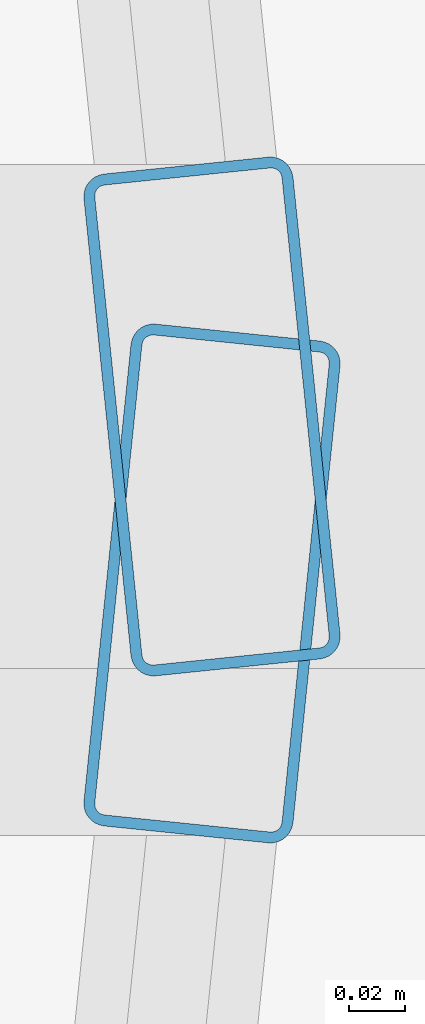
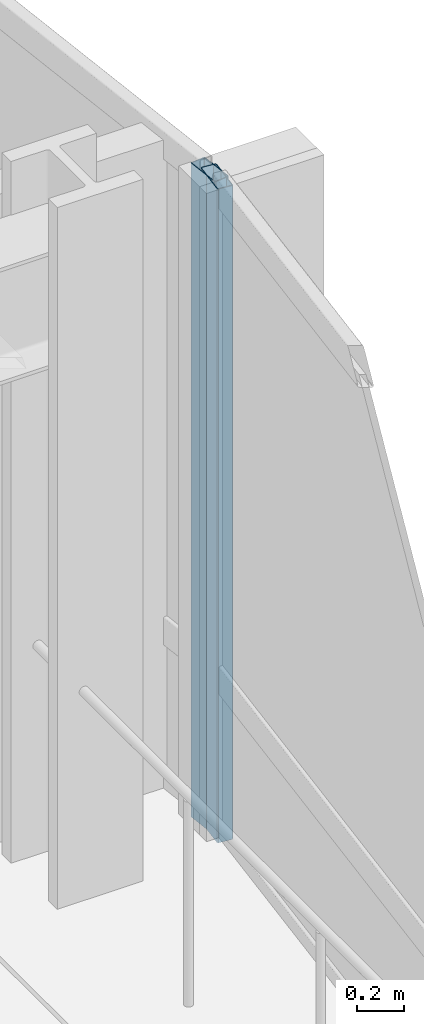
# One storey, part 25 of 34: 2 members, 2 elements without a shape of their own.
"""IFC4 building model written with IfcOpenShell, lengths in metres."""

import ifcopenshell
import ifcopenshell.guid

model = None  # the IFC model being written
_history = None  # IfcOwnerHistory: only IFC2X3 demands one
_inside = {}  # id of a spatial element -> (the spatial element, [elements in it])
_under = {}  # id of a project, library or spatial element -> (it, [spatial elements below it])
_declared = {}  # id of a project -> (the project, [libraries it declares])
_typed = {}  # id of a type object -> (the type object, [elements of that type])
_made_of = {}  # id of a material, layer set ... -> (it, [elements and type objects made of it])


def new_model(schema):
    """Start an empty IFC model of exactly this schema.

    Asked for "IFC4X3", IfcOpenShell would pick the latest addendum, in which some entities
    have other attributes; the version numbers below select the first issue.
    IFC2X3 requires an IfcOwnerHistory on every rooted entity: one is made here for all.
    """
    global model, _history
    if schema == "IFC4X3":
        model = ifcopenshell.file(schema_version=(4, 3, 0, 0))
    else:
        model = ifcopenshell.file(schema=schema)
    _inside.clear()
    _under.clear()
    _declared.clear()
    _typed.clear()
    _made_of.clear()
    _history = None
    if model.schema == "IFC2X3":
        org = make("IfcOrganization", Name="unknown")
        user = make(
            "IfcPersonAndOrganization",
            ThePerson=make("IfcPerson", FamilyName="unknown"),
            TheOrganization=org,
        )
        app = make(
            "IfcApplication",
            ApplicationDeveloper=org,
            Version="unknown",
            ApplicationFullName="unknown",
            ApplicationIdentifier="unknown",
        )
        _history = make(
            "IfcOwnerHistory",
            OwningUser=user,
            OwningApplication=app,
            ChangeAction="ADDED",
            CreationDate=0,
        )
    return model


def make(cls, **values):
    """One entity of the class cls with the attributes given. An attribute that is None is left unset."""
    return model.create_entity(
        cls, **{name: value for name, value in values.items() if value is not None}
    )


def rooted(cls, **values):
    """An entity with a GlobalId (a new one), such as an element, a storey or a relation."""
    return make(cls, GlobalId=ifcopenshell.guid.new(), OwnerHistory=_history, **values)


def si_unit(unit_type, name, prefix=None):
    """IfcSIUnit, for example si_unit("LENGTHUNIT", "METRE", prefix="MILLI")."""
    return make("IfcSIUnit", UnitType=unit_type, Prefix=prefix, Name=name)


def assignment(units):
    """IfcUnitAssignment: the units of a project."""
    return None if units is None else make("IfcUnitAssignment", Units=units)


def point(xyz):
    """IfcCartesianPoint."""
    return None if xyz is None else make("IfcCartesianPoint", Coordinates=xyz)


def direction(xyz):
    """IfcDirection."""
    return None if xyz is None else make("IfcDirection", DirectionRatios=xyz)


def frame(location, z_axis=None, x_axis=None):
    """IfcAxis2Placement3D, a coordinate frame: its origin and axes. An axis left out is left unset."""
    return make(
        "IfcAxis2Placement3D",
        Location=point(location),
        Axis=direction(z_axis),
        RefDirection=direction(x_axis),
    )


def frame_2d(location, x_axis=None):
    """IfcAxis2Placement2D, a coordinate frame in the plane: its origin and x axis."""
    return make(
        "IfcAxis2Placement2D", Location=point(location), RefDirection=direction(x_axis)
    )


def origin():
    """The frame at (0, 0, 0) with its axes left unset."""
    return frame((0.0, 0.0, 0.0))


def origin_2d():
    """The frame at (0, 0) in the plane with its x axis left unset."""
    return frame_2d((0.0, 0.0))


def place(relative_to, where):
    """IfcLocalPlacement: puts the frame where relative to a parent placement (None: the world)."""
    return make(
        "IfcLocalPlacement", PlacementRelTo=relative_to, RelativePlacement=where
    )


def context(
    kind, dimensions, precision=None, world=None, true_north=None, identifier=None
):
    """IfcGeometricRepresentationContext, for example the 3D "Model" context."""
    return make(
        "IfcGeometricRepresentationContext",
        ContextIdentifier=identifier,
        ContextType=kind,
        CoordinateSpaceDimension=dimensions,
        Precision=precision,
        WorldCoordinateSystem=world,
        TrueNorth=true_north,
    )


def subcontext(parent, identifier, kind, view, scale=None):
    """IfcGeometricRepresentationSubContext, for example "Body" below "Model"."""
    return make(
        "IfcGeometricRepresentationSubContext",
        ContextIdentifier=identifier,
        ContextType=kind,
        ParentContext=parent,
        TargetScale=scale,
        TargetView=view,
    )


def project(units=None, contexts=None):
    """IfcProject with its units and contexts."""
    return rooted(
        "IfcProject",
        Name="project",
        RepresentationContexts=contexts,
        UnitsInContext=assignment(units),
    )


def spatial(cls, under=None, at=None, **own):
    """A site, building, storey or space (cls), placed at a placement, below another one or the project."""
    s = rooted(cls, ObjectPlacement=at, **own)
    if under is not None:
        _under.setdefault(under.id(), (under, []))[1].append(s)
    return s


def profile(cls, at=None, kind="AREA", **sizes):
    """A parametric profile (cls). Its sizes go by their IFC names, for example OverallWidth=200.0."""
    return make(cls, ProfileType=kind, Position=at, **sizes)


def hollow_rectangle(**sizes):
    """IfcRectangleHollowProfileDef."""
    return profile("IfcRectangleHollowProfileDef", **sizes)


def extrude(swept, where, along, depth):
    """IfcExtrudedAreaSolid: the profile swept, set in the frame where, extruded along a direction by depth."""
    return make(
        "IfcExtrudedAreaSolid",
        SweptArea=swept,
        Position=where,
        ExtrudedDirection=direction(along),
        Depth=depth,
    )


def shape(context_of_items, identifier, shape_type, items):
    """IfcShapeRepresentation: the items that make up one representation, for example the "Body"."""
    return make(
        "IfcShapeRepresentation",
        ContextOfItems=context_of_items,
        RepresentationIdentifier=identifier,
        RepresentationType=shape_type,
        Items=items,
    )


def material(Name=None, Category=None):
    """IfcMaterial."""
    return make("IfcMaterial", Name=Name, Category=Category)


def layer(
    of_material, thickness, ventilated=None, Name=None, Category=None, Priority=None
):
    """IfcMaterialLayer: one layer of a wall or slab, of a material (None: an air gap)."""
    return make(
        "IfcMaterialLayer",
        Material=of_material,
        LayerThickness=thickness,
        IsVentilated=ventilated,
        Name=Name,
        Category=Category,
        Priority=Priority,
    )


def layer_set(layers, Name=None):
    """IfcMaterialLayerSet."""
    return make("IfcMaterialLayerSet", MaterialLayers=layers, LayerSetName=Name)


def material_profile(
    of_material, cross_section, Name=None, Category=None, Priority=None
):
    """IfcMaterialProfile: a cross section and its material."""
    return make(
        "IfcMaterialProfile",
        Name=Name,
        Material=of_material,
        Profile=cross_section,
        Priority=Priority,
        Category=Category,
    )


def profile_set(profiles, Name=None, composite=None):
    """IfcMaterialProfileSet."""
    return make(
        "IfcMaterialProfileSet",
        Name=Name,
        MaterialProfiles=profiles,
        CompositeProfile=composite,
    )


def made_of(thing, what):
    """Note that an element or type object is made of a material, layer set ...; save() writes the relation."""
    if what is not None:
        _made_of.setdefault(what.id(), (what, []))[1].append(thing)
    return thing


def type_object(cls, material=None, **own):
    """A type object (cls), such as IfcWallType, which elements share."""
    return made_of(rooted(cls, **own), material)


def element(
    cls,
    number,
    at=None,
    inside=None,
    cuts=None,
    type_object=None,
    material=None,
    context=None,
    identifier="Body",
    shape_type=None,
    held_by="IfcProductDefinitionShape",
    body=None,
    shapes=None,
    **own,
):
    """One element of the class cls, such as IfcWall. Its Tag is "e" and its number.

    at: its placement. inside: the storey or other place that contains it. cuts: it is an
    opening in that element (IfcRelVoidsElement). A single representation is given by context,
    identifier, shape_type and body (its items); several are given by shapes. held_by: the class
    of the entity that holds the representations. save() writes the other relations.
    """
    e = rooted(cls, Tag="e%d" % number, ObjectPlacement=at, **own)
    if body is not None:
        shapes = [shape(context, identifier, shape_type, body)]
    if shapes is not None:
        e.Representation = make(held_by, Representations=shapes)
    if inside is not None:
        _inside.setdefault(inside.id(), (inside, []))[1].append(e)
    if cuts is not None:
        rooted(
            "IfcRelVoidsElement", RelatingBuildingElement=cuts, RelatedOpeningElement=e
        )
    if type_object is not None:
        _typed.setdefault(type_object.id(), (type_object, []))[1].append(e)
    return made_of(e, material)


def aggregate(whole, parts):
    """IfcRelAggregates: a whole, such as a stair, and the parts it consists of."""
    return rooted("IfcRelAggregates", RelatingObject=whole, RelatedObjects=parts)


def save(model, path):
    """Write the relations noted so far, then the file.

    IfcRelAggregates (storeys below a building ...), IfcRelContainedInSpatialStructure (elements
    in a storey), IfcRelDefinesByType, IfcRelAssociatesMaterial and IfcRelDeclares: one each for
    every whole, place, type object, material and project.
    """
    for whole, parts in _under.values():
        aggregate(whole, parts)
    for where, things in _inside.values():
        rooted(
            "IfcRelContainedInSpatialStructure",
            RelatedElements=things,
            RelatingStructure=where,
        )
    for kind, things in _typed.values():
        rooted("IfcRelDefinesByType", RelatedObjects=things, RelatingType=kind)
    for what, things in _made_of.values():
        rooted("IfcRelAssociatesMaterial", RelatedObjects=things, RelatingMaterial=what)
    for by, libraries in _declared.values():
        rooted("IfcRelDeclares", RelatingContext=by, RelatedDefinitions=libraries)
    model.write(path)


model = new_model("IFC4")

# Units and contexts
model_context = context("Model", 3, precision=1e-05, world=origin(), true_north=direction((0.0, 1.0)))
body_context = subcontext(model_context, "Body", "Model", "MODEL_VIEW")
ifc_project = project(units=[si_unit("LENGTHUNIT", "METRE"), si_unit("AREAUNIT", "SQUARE_METRE"), si_unit("VOLUMEUNIT", "CUBIC_METRE"), si_unit("PLANEANGLEUNIT", "RADIAN"), si_unit("MASSUNIT", "GRAM", prefix="KILO")], contexts=[model_context])

# Site, building, storey
site_placement = place(None, origin())
site = spatial("IfcSite", under=ifc_project, at=site_placement, CompositionType="ELEMENT")
building_placement = place(site_placement, origin())
building = spatial("IfcBuilding", under=site, at=building_placement, Name="Solvaryn Broadcast Tower", CompositionType="ELEMENT")
storey_placement = place(building_placement, frame((0.0, 0.0, 92.800048828125)))
storey = spatial("IfcBuildingStorey", under=building, at=storey_placement, Name="L22", CompositionType="ELEMENT", Elevation=92.800048828125)

# Curtain wall, member
ifc_material_1 = material(Name="Aluminium and Terracotta Unitised Curtain Wall", Category="masonry")
ifc_layer = layer(ifc_material_1, 0.199951171875)
ifc_layer_set = layer_set([ifc_layer], Name="CW-SYS2-LOWMID")
curtain_wall_type = type_object("IfcCurtainWallType", Name="CW-SYS2-LOWMID", PredefinedType="NOTDEFINED", material=ifc_layer_set)
curtain_wall_1_placement = place(storey_placement, origin())
curtain_wall_1 = element("IfcCurtainWall", 1, at=curtain_wall_1_placement, inside=storey, type_object=curtain_wall_type, Name="L22 Curtain Wall ET1", PredefinedType="NOTDEFINED")
ifc_material_2 = material(Name="Anodised Aluminium 6063-T6", Category="aluminium")
ifc_material_profile = material_profile(ifc_material_2, hollow_rectangle(XDim=0.074951171875, YDim=0.179931640625, WallThickness=0.00390625, InnerFilletRadius=0.00390625, OuterFilletRadius=0.008056640625, at=origin_2d()))
ifc_profile_set = profile_set([ifc_material_profile], Name="Anodised Aluminium 6063-T6")
member_type = type_object("IfcMemberType", Name="CW-MUL-180", PredefinedType="MULLION", material=ifc_profile_set)
member_1_placement = place(storey_placement, frame((63.697021484375, 18.02978515625, 0.0), z_axis=(0.0, 0.0, 1.0), x_axis=(0.99474329889, 0.10240004548, 0.0)))
member_1 = element("IfcMember", 2, at=member_1_placement, type_object=member_type, Name="CWS2 mullion 2", PredefinedType="MULLION", context=body_context, shape_type="SweptSolid", body=[
    extrude(hollow_rectangle(XDim=0.074951171875, YDim=0.179931640625, WallThickness=0.00390625, InnerFilletRadius=0.00390625, OuterFilletRadius=0.008056640625, at=origin_2d()), origin(), (0.0, 0.0, 1.0), 3.419921875),
])
aggregate(curtain_wall_1, [member_1])

curtain_wall_2_placement = place(storey_placement, origin())
curtain_wall_2 = element("IfcCurtainWall", 3, at=curtain_wall_2_placement, inside=storey, type_object=curtain_wall_type, Name="L22 Curtain Wall ET2", PredefinedType="NOTDEFINED")
member_2_placement = place(storey_placement, frame((63.697021484375, 17.97021484375, 0.0), z_axis=(0.0, 0.0, 1.0), x_axis=(0.99474329889, -0.10240004548, 0.0)))
member_2 = element("IfcMember", 4, at=member_2_placement, type_object=member_type, Name="CWS2 mullion 1", PredefinedType="MULLION", context=body_context, shape_type="SweptSolid", body=[
    extrude(hollow_rectangle(XDim=0.074951171875, YDim=0.179931640625, WallThickness=0.00390625, InnerFilletRadius=0.00390625, OuterFilletRadius=0.008056640625, at=origin_2d()), origin(), (0.0, 0.0, 1.0), 3.419921875),
])
aggregate(curtain_wall_2, [member_2])

save(model, "model.ifc")
